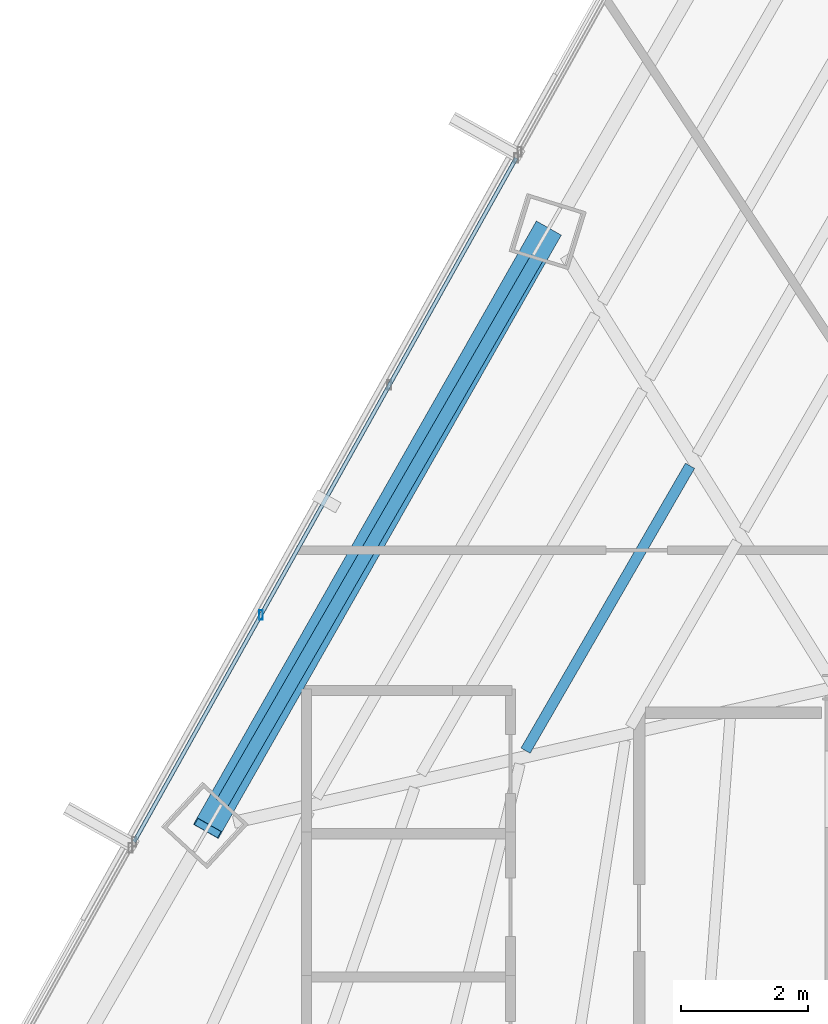
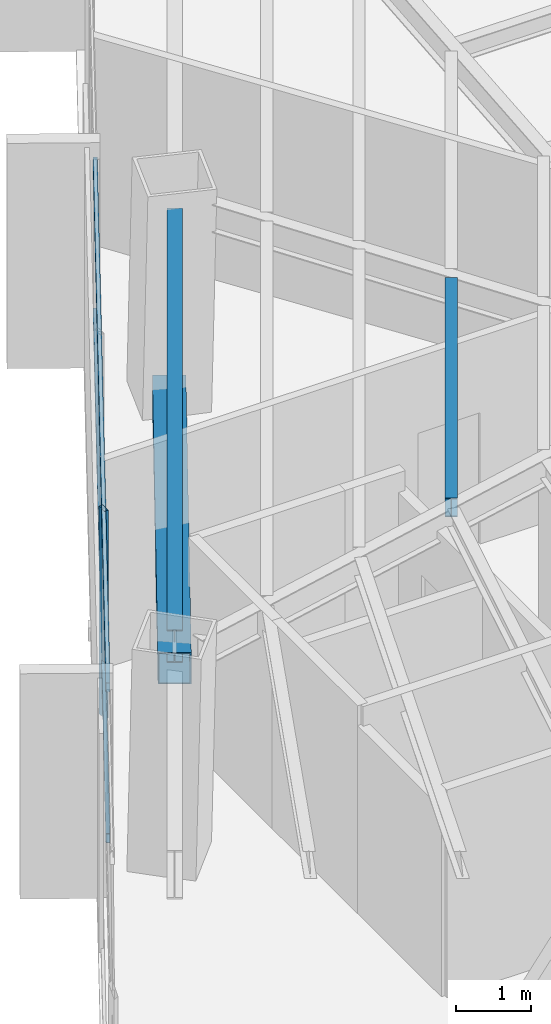
# One storey, part 14 of 39: 4 members, 2 beams, 1 element without a shape of its own.
"""IFC4 building model written with IfcOpenShell, lengths in metres."""

from ifc_helpers import new_model, si_unit, direction, frame, origin, origin_2d, place, context, subcontext, project, spatial, hollow_rectangle, i_section, extrude, source, transform, mapped, material, material_profile, profile_set, type_object, type_shapes, element, aggregate, save


model = new_model("IFC4")

# Units and contexts
model_context = context("Model", 3, precision=1e-05, world=origin(), true_north=direction((0.0, 1.0)))
body_context = subcontext(model_context, "Body", "Model", "MODEL_VIEW")
ifc_project = project(units=[si_unit("LENGTHUNIT", "METRE"), si_unit("AREAUNIT", "SQUARE_METRE"), si_unit("VOLUMEUNIT", "CUBIC_METRE"), si_unit("PLANEANGLEUNIT", "RADIAN"), si_unit("MASSUNIT", "GRAM", prefix="KILO")], contexts=[model_context])

# Site, building, storey
site_placement = place(None, origin())
site = spatial("IfcSite", under=ifc_project, at=site_placement, CompositionType="ELEMENT")
building_placement = place(site_placement, origin())
building = spatial("IfcBuilding", under=site, at=building_placement, Name="Caelisora Broadcast Tower", CompositionType="ELEMENT")
storey_placement = place(building_placement, frame((0.0, 0.0, 139.10009765625)))
storey = spatial("IfcBuildingStorey", under=building, at=storey_placement, Name="L36", CompositionType="ELEMENT", Elevation=139.10009765625)

# Beams
ifc_material_1 = material(Name="Steel Grade 350 (AS/NZS 3679.1)", Category="steel")
ifc_material_profile_1 = material_profile(ifc_material_1, i_section(OverallWidth=0.166015625, OverallDepth=0.30712890625, WebThickness=0.006591796875, FlangeThickness=0.01171875, at=origin_2d()), Name="Steel Grade 350 (AS/NZS 3679.1)")
ifc_profile_set_1 = profile_set([ifc_material_profile_1], Name="Steel Grade 350 (AS/NZS 3679.1)")
beam_type_1 = type_object("IfcBeamType", Name="SB03", PredefinedType="JOIST", material=ifc_profile_set_1)
shared_shape_1 = source(origin(), body_context, "Body", "SweptSolid", [
    extrude(i_section(OverallWidth=0.166015625, OverallDepth=0.30712890625, WebThickness=0.006591796875, FlangeThickness=0.01171875, at=origin_2d()), origin(), (0.0, 0.0, 1.0), 5.162353515625),
])
type_shapes(beam_type_1, [shared_shape_1])
beam_1_placement = place(storey_placement, frame((28.2197265625, 33.474609375, 3.246337890625), z_axis=(-0.49998445949, -0.866034375916, 0.0), x_axis=(0.866034375916, -0.49998445949, 0.0)))
element("IfcBeam", 1, at=beam_1_placement, inside=storey, type_object=beam_type_1, Name="L36 beam SB03", PredefinedType="JOIST", context=body_context, shape_type="MappedRepresentation", body=[
    mapped(shared_shape_1, transform((0.0, 0.0, 0.0), scale=1.0)),
])
ifc_material_profile_2 = material_profile(ifc_material_1, i_section(OverallWidth=0.208984375, OverallDepth=0.532958984375, WebThickness=0.01025390625, FlangeThickness=0.015625, at=origin_2d()), Name="Steel Grade 350 (AS/NZS 3679.1)")
ifc_profile_set_2 = profile_set([ifc_material_profile_2], Name="Steel Grade 350 (AS/NZS 3679.1)")
beam_type_2 = type_object("IfcBeamType", Name="PG05", PredefinedType="BEAM", material=ifc_profile_set_2)
shared_shape_2 = source(origin(), body_context, "Body", "SweptSolid", [
    extrude(i_section(OverallWidth=0.208984375, OverallDepth=0.532958984375, WebThickness=0.01025390625, FlangeThickness=0.015625, at=origin_2d()), origin(), (0.0, 0.0, 1.0), 9.86865234375),
])
type_shapes(beam_type_2, [shared_shape_2])
beam_2_placement = place(storey_placement, frame((25.814697265625, 36.73291015625, 3.13330078125), z_axis=(-0.499994417569, -0.866028626779, 0.0), x_axis=(0.866028626779, -0.499994417569, 0.0)))
element("IfcBeam", 2, at=beam_2_placement, inside=storey, type_object=beam_type_2, Name="L36 beam PG05", PredefinedType="BEAM", context=body_context, shape_type="MappedRepresentation", body=[
    mapped(shared_shape_2, transform((0.0, 0.0, 0.0), scale=1.0)),
])

# Member
ifc_material_2 = material(Name="Steel Grade 450 (AS/NZS 1163 C450L0)", Category="steel")
ifc_material_profile_3 = material_profile(ifc_material_2, hollow_rectangle(XDim=0.449951171875, YDim=0.449951171875, WallThickness=0.01611328125, at=origin_2d()), Name="Steel Grade 450 (AS/NZS 1163 C450L0)")
ifc_profile_set_3 = profile_set([ifc_material_profile_3], Name="Steel Grade 450 (AS/NZS 1163 C450L0)")
member_type_1 = type_object("IfcMemberType", Name="BR03", PredefinedType="BRACE", material=ifc_profile_set_3)
shared_shape_3 = source(origin(), body_context, "Body", "SweptSolid", [
    extrude(hollow_rectangle(XDim=0.449951171875, YDim=0.449951171875, WallThickness=0.01611328125, at=origin_2d()), origin(), (0.0, 0.0, 1.0), 11.182861328125),
])
type_shapes(member_type_1, [shared_shape_3])
member_1_placement = place(storey_placement, frame((25.97412109375, 37.1533203125, 0.099853515625), z_axis=(-0.476065550225, -0.837492000926, 0.268269901915), x_axis=(0.869359421548, -0.494180327579, 0.0)))
element("IfcMember", 3, at=member_1_placement, inside=storey, type_object=member_type_1, Name="L36 perimeter brace BR03", PredefinedType="BRACE", context=body_context, shape_type="MappedRepresentation", body=[
    mapped(shared_shape_3, transform((0.0, 0.0, 0.0), scale=1.0)),
])

# Curtain wall, members
ifc_material_3 = material(Name="Unitised Aluminium Insulated Shadow-Box Spandrel Curtain Wall", Category="aluminium")
curtain_wall_type = type_object("IfcCurtainWallType", Name="CW-SP2", PredefinedType="NOTDEFINED", material=ifc_material_3)
curtain_wall_placement = place(storey_placement, origin())
curtain_wall = element("IfcCurtainWall", 4, at=curtain_wall_placement, inside=storey, type_object=curtain_wall_type, Name="L36 curtain wall CW-SP2", PredefinedType="NOTDEFINED")
ifc_material_4 = material(Name="Aluminium 6063-T6 Anodised Terracotta Bronze", Category="aluminium")
ifc_material_profile_4 = material_profile(ifc_material_4, hollow_rectangle(XDim=0.06005859375, YDim=0.14990234375, WallThickness=0.00341796875, at=origin_2d()), Name="Aluminium 6063-T6 Anodised Terracotta Bronze")
ifc_profile_set_4 = profile_set([ifc_material_profile_4], Name="Aluminium 6063-T6 Anodised Terracotta Bronze")
member_type_2 = type_object("IfcMemberType", Name="CWM-03", PredefinedType="MULLION", material=ifc_profile_set_4)
shared_shape_4 = source(origin(), body_context, "Body", "SweptSolid", [
    extrude(hollow_rectangle(XDim=0.06005859375, YDim=0.14990234375, WallThickness=0.00341796875, at=origin_2d()), origin(), (0.0, 0.0, 1.0), 3.39990234375),
])
type_shapes(member_type_2, [shared_shape_4])
member_2_placement = place(storey_placement, frame((21.485595703125, 31.134521484375, 0.0), z_axis=(0.0, 0.0, 1.0), x_axis=(1.0, 0.0, 0.0)))
member_2 = element("IfcMember", 5, at=member_2_placement, type_object=member_type_2, Name="L36-CW-B10 mullion #1", PredefinedType="MULLION", context=body_context, shape_type="MappedRepresentation", body=[
    mapped(shared_shape_4, transform((0.0, 0.0, 0.0), scale=1.0)),
])
ifc_material_profile_5 = material_profile(ifc_material_4, hollow_rectangle(XDim=0.06005859375, YDim=0.14990234375, WallThickness=0.00341796875, at=origin_2d()), Name="Aluminium 6063-T6 Anodised Terracotta Bronze")
ifc_profile_set_5 = profile_set([ifc_material_profile_5], Name="Aluminium 6063-T6 Anodised Terracotta Bronze")
member_type_3 = type_object("IfcMemberType", Name="CWT-02", PredefinedType="USERDEFINED", material=ifc_profile_set_5)
shared_shape_5 = source(origin(), body_context, "Body", "SweptSolid", [
    extrude(hollow_rectangle(XDim=0.06005859375, YDim=0.14990234375, WallThickness=0.00341796875, at=origin_2d()), origin(), (0.0, 0.0, 1.0), 12.294921875),
])
type_shapes(member_type_3, [shared_shape_5])
member_3_placement = place(storey_placement, frame((19.49462890625, 27.571533203125, 0.849853515625), z_axis=(0.487806225981, 0.872951937906, 0.0), x_axis=(-0.872951937906, 0.487806225981, 0.0)))
member_3 = element("IfcMember", 6, at=member_3_placement, type_object=member_type_3, Name="L36-CW-B10 transom #1", ObjectType="TRANSOM", PredefinedType="USERDEFINED", context=body_context, shape_type="MappedRepresentation", body=[
    mapped(shared_shape_5, transform((0.0, 0.0, 0.0), scale=1.0)),
])
member_4_placement = place(storey_placement, frame((19.49462890625, 27.571533203125, 3.31982421875), z_axis=(0.487806225981, 0.872951937906, 0.0), x_axis=(-0.872951937906, 0.487806225981, 0.0)))
member_4 = element("IfcMember", 7, at=member_4_placement, type_object=member_type_3, Name="L36-CW-B10 transom #2", ObjectType="TRANSOM", PredefinedType="USERDEFINED", context=body_context, shape_type="MappedRepresentation", body=[
    mapped(shared_shape_5, transform((0.0, 0.0, 0.0), scale=1.0)),
])
aggregate(curtain_wall, [member_2, member_3, member_4])

save(model, "model.ifc")
